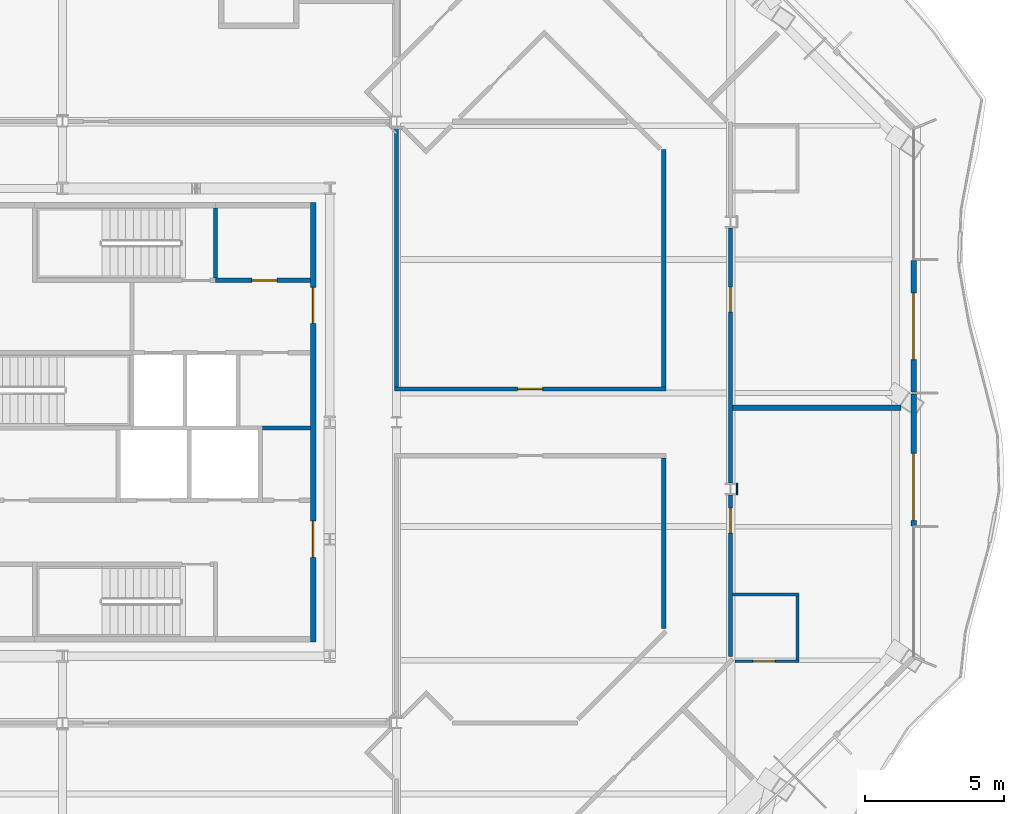
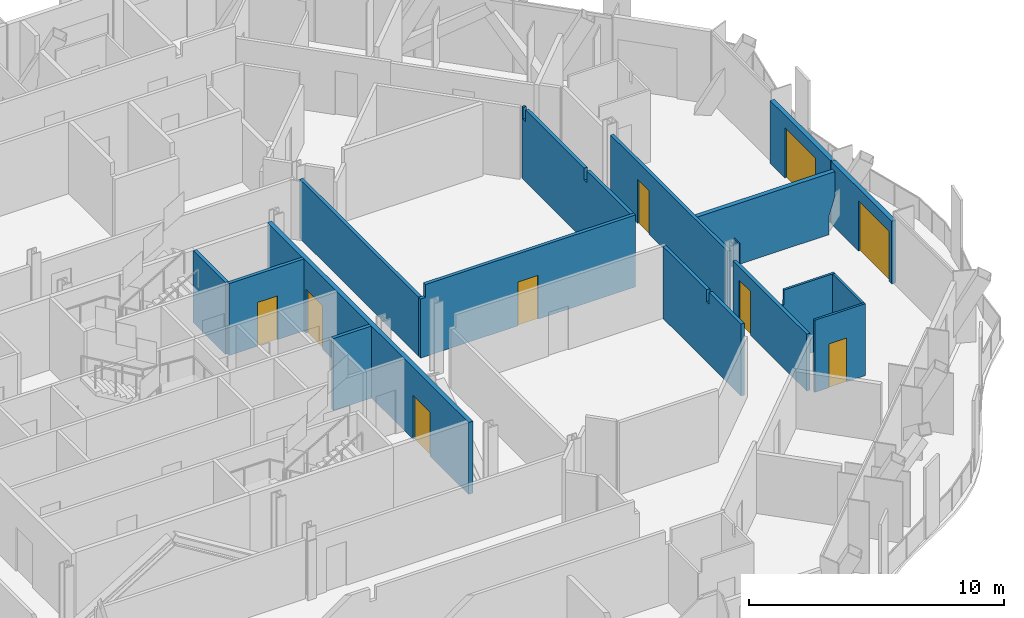
# One storey, part 10 of 21: 17 walls, 9 doors, 9 openings.
"""IFC4 building model written with IfcOpenShell, lengths in metres."""

from ifc_helpers import new_model, si_unit, direction, frame, frame_2d, origin, place, context, subcontext, project, spatial, polyline, rectangle, outline, extrude, material, layer, layer_set, type_object, element, fill, save


model = new_model("IFC4")

# Units and contexts
model_context = context("Model", 3, precision=1e-05, world=origin(), true_north=direction((0.0, 1.0)))
body_context = subcontext(model_context, "Body", "Model", "MODEL_VIEW")
ifc_project = project(units=[si_unit("LENGTHUNIT", "METRE"), si_unit("AREAUNIT", "SQUARE_METRE"), si_unit("VOLUMEUNIT", "CUBIC_METRE"), si_unit("PLANEANGLEUNIT", "RADIAN"), si_unit("MASSUNIT", "GRAM", prefix="KILO")], contexts=[model_context])

# Site, building, storey
site_placement = place(None, origin())
site = spatial("IfcSite", under=ifc_project, at=site_placement, CompositionType="ELEMENT")
building_placement = place(site_placement, origin())
building = spatial("IfcBuilding", under=site, at=building_placement, Name="Cairn Pilgrim Tower", CompositionType="ELEMENT")
storey_placement = place(building_placement, frame((0.0, 0.0, 183.0)))
storey = spatial("IfcBuildingStorey", under=building, at=storey_placement, Name="L46", CompositionType="ELEMENT", Elevation=183.0)

# Wall, opening, door
ifc_material_1 = material(Name="Bronze anodised aluminium insulated sandwich panel with mineral wool fill", Category="aluminium")
ifc_layer_1 = layer(ifc_material_1, 0.199951171875)
ifc_layer_set_1 = layer_set([ifc_layer_1], Name="BRONZE INFILL FRAME WALL 200")
wall_type_1 = type_object("IfcWallType", Name="BRONZE INFILL FRAME WALL 200", PredefinedType="NOTDEFINED", material=ifc_layer_set_1)
wall_1_placement = place(storey_placement, frame((37.77490234375, -1.320068359375, 0.0), z_axis=(0.0, 0.0, 1.0), x_axis=(0.0, 1.0, 0.0)))
wall_1 = element("IfcWall", 1, at=wall_1_placement, inside=storey, type_object=wall_type_1, Name="Bronze infill frame wall IW-E2", PredefinedType="NOTDEFINED", context=body_context, shape_type="SweptSolid", body=[
    extrude(rectangle(XDim=4.739990234375, YDim=0.199951171875, at=frame_2d((2.3701171875, 0.0))), origin(), (0.0, 0.0, 1.0), 3.0),
])
opening_1_placement = place(wall_1_placement, frame((0.199951171875, 0.0, 0.0)))
opening_1 = element("IfcOpeningElement", 2, at=opening_1_placement, cuts=wall_1, Name="Opening 4604B2", PredefinedType="OPENING", context=body_context, shape_type="SweptSolid", body=[
    extrude(rectangle(XDim=2.39990234375, YDim=2.39990234375, at=frame_2d((1.199951171875, 1.199951171875))), frame((0.0, 0.10986328125, 0.0), z_axis=(0.0, -1.0, 0.0), x_axis=(1.0, 0.0, 0.0)), (0.0, 0.0, 1.0), 0.219970703125),
])
ifc_material_2 = material(Name="Bronze anodised aluminium frame with tinted low-E glass", Category="aluminium")
door_type_1 = type_object("IfcDoorType", Name="BALCONY SLIDING DOOR 2400x2400", OperationType="DOUBLE_DOOR_SLIDING", PredefinedType="DOOR", material=ifc_material_2)
door_1_placement = place(opening_1_placement, origin())
door_1 = element("IfcDoor", 3, at=door_1_placement, inside=storey, type_object=door_type_1, Name="Balcony sliding door 4604B2", OperationType="SINGLE_SWING_LEFT", OverallHeight=2.39990234375, OverallWidth=2.39990234375, PredefinedType="DOOR", context=body_context, shape_type="SweptSolid", body=[
    extrude(rectangle(XDim=2.39990234375, YDim=2.39990234375, at=frame_2d((1.199951171875, 1.199951171875))), frame((0.0, 0.02490234375, 0.0), z_axis=(0.0, -1.0, 0.0), x_axis=(1.0, 0.0, 0.0)), (0.0, 0.0, 1.0), 0.050048828125),
])
fill(opening_1, door_1)

wall_2_placement = place(storey_placement, frame((37.77490234375, 3.47998046875, 0.0), z_axis=(0.0, 0.0, 1.0), x_axis=(0.0, 1.0, 0.0)))
wall_2 = element("IfcWall", 4, at=wall_2_placement, inside=storey, type_object=wall_type_1, Name="Bronze infill frame wall IW-E3", PredefinedType="NOTDEFINED", context=body_context, shape_type="SweptSolid", body=[
    extrude(rectangle(XDim=4.739990234375, YDim=0.199951171875, at=frame_2d((2.3701171875, 0.0))), origin(), (0.0, 0.0, 1.0), 3.0),
])
opening_2_placement = place(wall_2_placement, frame((1.169921875, 0.0, 0.0)))
opening_2 = element("IfcOpeningElement", 5, at=opening_2_placement, cuts=wall_2, Name="Opening 4605B", PredefinedType="OPENING", context=body_context, shape_type="SweptSolid", body=[
    extrude(rectangle(XDim=2.39990234375, YDim=2.39990234375, at=frame_2d((1.199951171875, 1.199951171875))), frame((0.0, 0.10986328125, 0.0), z_axis=(0.0, -1.0, 0.0), x_axis=(1.0, 0.0, 0.0)), (0.0, 0.0, 1.0), 0.219970703125),
])
door_2_placement = place(opening_2_placement, origin())
door_2 = element("IfcDoor", 6, at=door_2_placement, inside=storey, type_object=door_type_1, Name="Balcony sliding door 4605B", OperationType="SINGLE_SWING_LEFT", OverallHeight=2.39990234375, OverallWidth=2.39990234375, PredefinedType="DOOR", context=body_context, shape_type="SweptSolid", body=[
    extrude(rectangle(XDim=2.39990234375, YDim=2.39990234375, at=frame_2d((1.199951171875, 1.199951171875))), frame((0.0, 0.02490234375, 0.0), z_axis=(0.0, -1.0, 0.0), x_axis=(1.0, 0.0, 0.0)), (0.0, 0.0, 1.0), 0.050048828125),
])
fill(opening_2, door_2)

# Wall, openings, doors
ifc_material_3 = material(Name="Concrete C32/40", Category="concrete")
ifc_layer_2 = layer(ifc_material_3, 0.199951171875)
ifc_layer_set_2 = layer_set([ifc_layer_2], Name="CORE OUTER WALL 200 EI 120")
wall_type_2 = type_object("IfcWallType", Name="CORE OUTER WALL 200 EI 120", PredefinedType="SOLIDWALL", material=ifc_layer_set_2)
wall_3_placement = place(storey_placement, frame((16.199951171875, -5.5, 0.0), z_axis=(0.0, 0.0, 1.0), x_axis=(0.0, 1.0, 0.0)))
wall_3 = element("IfcWall", 7, at=wall_3_placement, inside=storey, type_object=wall_type_2, Name="CW:L46:V30", PredefinedType="SOLIDWALL", context=body_context, shape_type="SweptSolid", body=[
    extrude(rectangle(XDim=15.800048828125, YDim=0.199951171875, at=frame_2d((7.89990234375, 0.0))), origin(), (0.0, 0.0, 1.0), 3.449951171875),
])
opening_3_placement = place(wall_3_placement, frame((3.050048828125, 0.0, 0.0)))
opening_3 = element("IfcOpeningElement", 8, at=opening_3_placement, cuts=wall_3, Name="Opening CD-E1", PredefinedType="OPENING", context=body_context, shape_type="SweptSolid", body=[
    extrude(rectangle(XDim=1.300048828125, YDim=2.10009765625, at=frame_2d((0.64990234375, 1.050048828125))), frame((0.0, 0.10986328125, 0.0), z_axis=(0.0, -1.0, 0.0), x_axis=(1.0, 0.0, 0.0)), (0.0, 0.0, 1.0), 0.219970703125),
])
opening_4_placement = place(wall_3_placement, frame((11.449951171875, 0.0, 0.0)))
opening_4 = element("IfcOpeningElement", 9, at=opening_4_placement, cuts=wall_3, Name="Opening CD-E2", PredefinedType="OPENING", context=body_context, shape_type="SweptSolid", body=[
    extrude(rectangle(XDim=1.300048828125, YDim=2.10009765625, at=frame_2d((0.64990234375, 1.050048828125))), frame((0.0, 0.10986328125, 0.0), z_axis=(0.0, -1.0, 0.0), x_axis=(1.0, 0.0, 0.0)), (0.0, 0.0, 1.0), 0.219970703125),
])
ifc_material_4 = material(Name="Painted steel", Category="steel")
door_type_2 = type_object("IfcDoorType", Name="CORE LOBBY DOOR 1300x2100", OperationType="DOUBLE_DOOR_SINGLE_SWING", PredefinedType="DOOR", material=ifc_material_4)
door_3_placement = place(opening_3_placement, origin())
door_3 = element("IfcDoor", 10, at=door_3_placement, inside=storey, type_object=door_type_2, Name="CD-E1", OperationType="DOUBLE_DOOR_SINGLE_SWING", OverallHeight=2.10009765625, OverallWidth=1.300048828125, PredefinedType="DOOR", context=body_context, shape_type="SweptSolid", body=[
    extrude(rectangle(XDim=1.300048828125, YDim=2.10009765625, at=frame_2d((0.64990234375, 1.050048828125))), frame((0.0, 0.02490234375, 0.0), z_axis=(0.0, -1.0, 0.0), x_axis=(1.0, 0.0, 0.0)), (0.0, 0.0, 1.0), 0.050048828125),
])
fill(opening_3, door_3)
door_4_placement = place(opening_4_placement, origin())
door_4 = element("IfcDoor", 11, at=door_4_placement, inside=storey, type_object=door_type_2, Name="CD-E2", OperationType="DOUBLE_DOOR_SINGLE_SWING", OverallHeight=2.10009765625, OverallWidth=1.300048828125, PredefinedType="DOOR", context=body_context, shape_type="SweptSolid", body=[
    extrude(rectangle(XDim=1.300048828125, YDim=2.10009765625, at=frame_2d((0.64990234375, 1.050048828125))), frame((0.0, 0.02490234375, 0.0), z_axis=(0.0, -1.0, 0.0), x_axis=(1.0, 0.0, 0.0)), (0.0, 0.0, 1.0), 0.050048828125),
])
fill(opening_4, door_4)

# Wall
ifc_layer_3 = layer(ifc_material_3, 0.14990234375)
ifc_layer_set_3 = layer_set([ifc_layer_3], Name="CORE PARTITION 150 EI 60")
wall_type_3 = type_object("IfcWallType", Name="CORE PARTITION 150 EI 60", PredefinedType="PARTITIONING", material=ifc_layer_set_3)
wall_4_placement = place(storey_placement, frame((14.375, 2.199951171875, 0.0), z_axis=(0.0, 0.0, 1.0), x_axis=(1.0, 0.0, 0.0)))
element("IfcWall", 12, at=wall_4_placement, inside=storey, type_object=wall_type_3, Name="CW:L46:H08", PredefinedType="PARTITIONING", context=body_context, shape_type="SweptSolid", body=[
    extrude(rectangle(XDim=1.72509765625, YDim=0.14990234375, at=frame_2d((0.862548828125, 0.0))), origin(), (0.0, 0.0, 1.0), 3.449951171875),
])

# Wall, opening, door
ifc_layer_4 = layer(ifc_material_3, 0.14990234375)
ifc_layer_set_4 = layer_set([ifc_layer_4], Name="CORE SHAFT WALL 150 EI 120")
wall_type_4 = type_object("IfcWallType", Name="CORE SHAFT WALL 150 EI 120", PredefinedType="SOLIDWALL", material=ifc_layer_set_4)
wall_5_placement = place(storey_placement, frame((12.699951171875, 7.5, 0.0), z_axis=(0.0, 0.0, 1.0), x_axis=(1.0, 0.0, 0.0)))
wall_5 = element("IfcWall", 13, at=wall_5_placement, inside=storey, type_object=wall_type_4, Name="CW:L46:H11-2", PredefinedType="SOLIDWALL", context=body_context, shape_type="SweptSolid", body=[
    extrude(rectangle(XDim=3.400146484375, YDim=0.14990234375, at=frame_2d((1.7001953125, 0.0))), origin(), (0.0, 0.0, 1.0), 3.449951171875),
])
opening_5_placement = place(wall_5_placement, frame((1.300048828125, 0.0, 0.0)))
opening_5 = element("IfcOpeningElement", 14, at=opening_5_placement, cuts=wall_5, Name="Opening RD-R4E", PredefinedType="OPENING", context=body_context, shape_type="SweptSolid", body=[
    extrude(rectangle(XDim=0.89990234375, YDim=2.10009765625, at=frame_2d((0.449951171875, 1.050048828125))), frame((0.0, 0.0849609375, 0.0), z_axis=(0.0, -1.0, 0.0), x_axis=(1.0, 0.0, 0.0)), (0.0, 0.0, 1.0), 0.169921875),
])
door_type_3 = type_object("IfcDoorType", Name="SERVICE ROOM DOOR 900x2100", OperationType="SINGLE_SWING_LEFT", PredefinedType="DOOR", material=ifc_material_4)
door_5_placement = place(opening_5_placement, origin())
door_5 = element("IfcDoor", 15, at=door_5_placement, inside=storey, type_object=door_type_3, Name="RD-R4E", OperationType="SINGLE_SWING_RIGHT", OverallHeight=2.10009765625, OverallWidth=0.89990234375, PredefinedType="DOOR", context=body_context, shape_type="SweptSolid", body=[
    extrude(rectangle(XDim=0.89990234375, YDim=2.10009765625, at=frame_2d((0.449951171875, 1.050048828125))), frame((0.0, 0.02490234375, 0.0), z_axis=(0.0, -1.0, 0.0), x_axis=(1.0, 0.0, 0.0)), (0.0, 0.0, 1.0), 0.050048828125),
])
fill(opening_5, door_5)

ifc_material_5 = material(Name="Gypsum partition")
ifc_layer_5 = layer(ifc_material_5, 0.10009765625)
ifc_layer_set_5 = layer_set([ifc_layer_5], Name="PARTITION 100 DRYWALL")
wall_type_5 = type_object("IfcWallType", Name="PARTITION 100 DRYWALL", PredefinedType="PARTITIONING", material=ifc_layer_set_5)
wall_6_placement = place(storey_placement, frame((31.356201171875, -6.18701171875, 0.0), z_axis=(0.0, 0.0, 1.0), x_axis=(1.0, 0.0, 0.0)))
wall_6 = element("IfcWall", 16, at=wall_6_placement, inside=storey, type_object=wall_type_5, Name="PARTITION W037", PredefinedType="PARTITIONING", context=body_context, shape_type="SweptSolid", body=[
    extrude(rectangle(XDim=2.293701171875, YDim=0.10009765625, at=frame_2d((1.14697265625, 0.0))), origin(), (0.0, 0.0, 1.0), 3.449951171875),
])
opening_6_placement = place(wall_6_placement, frame((0.643798828125, 0.0, 0.0)))
opening_6 = element("IfcOpeningElement", 17, at=opening_6_placement, cuts=wall_6, Name="Opening 4604A", PredefinedType="OPENING", context=body_context, shape_type="SweptSolid", body=[
    extrude(rectangle(XDim=0.800048828125, YDim=2.10009765625, at=frame_2d((0.39990234375, 1.050048828125))), frame((0.0, 0.06005859375, 0.0), z_axis=(0.0, -1.0, 0.0), x_axis=(1.0, 0.0, 0.0)), (0.0, 0.0, 1.0), 0.1201171875),
])
ifc_material_6 = material(Name="Timber door leaf", Category="wood")
door_type_4 = type_object("IfcDoorType", Name="WC DOOR 800x2100", OperationType="NOTDEFINED", PredefinedType="DOOR", material=ifc_material_6)
door_6_placement = place(opening_6_placement, frame((0.800048828125, 0.0, 0.0), z_axis=(0.0, 0.0, 1.0), x_axis=(-1.0, 0.0, 0.0)))
door_6 = element("IfcDoor", 18, at=door_6_placement, inside=storey, type_object=door_type_4, Name="DOOR 4604A", OperationType="SINGLE_SWING_RIGHT", OverallHeight=2.10009765625, OverallWidth=0.800048828125, PredefinedType="DOOR", context=body_context, shape_type="SweptSolid", body=[
    extrude(rectangle(XDim=0.800048828125, YDim=2.10009765625, at=frame_2d((0.39990234375, 1.050048828125))), frame((0.0, 0.02490234375, 0.0), z_axis=(0.0, -1.0, 0.0), x_axis=(1.0, 0.0, 0.0)), (0.0, 0.0, 1.0), 0.050048828125),
])
fill(opening_6, door_6)

# Walls
wall_7_placement = place(storey_placement, frame((33.60009765625, -6.136962890625, 0.0), z_axis=(0.0, 0.0, 1.0), x_axis=(0.0, 1.0, 0.0)))
element("IfcWall", 19, at=wall_7_placement, inside=storey, type_object=wall_type_5, Name="PARTITION W038", PredefinedType="PARTITIONING", context=body_context, shape_type="SweptSolid", body=[
    extrude(rectangle(XDim=2.300048828125, YDim=0.10009765625, at=frame_2d((1.14990234375, 0.0))), origin(), (0.0, 0.0, 1.0), 3.449951171875),
])
wall_8_placement = place(storey_placement, frame((31.27490234375, -3.787109375, 0.0), z_axis=(0.0, 0.0, 1.0), x_axis=(1.0, 0.0, 0.0)))
element("IfcWall", 20, at=wall_8_placement, inside=storey, type_object=wall_type_5, Name="PARTITION W041", PredefinedType="PARTITIONING", context=body_context, shape_type="SweptSolid", body=[
    extrude(outline(polyline([(0.0, 0.0), (2.375, 0.0), (2.375, 3.449951171875), (0.074951171875, 3.449951171875), (0.072998046875, 2.72998046875), (0.0, 2.72998046875), (0.0, 0.0)])), frame((0.0, 0.050048828125, 0.0), z_axis=(0.0, -1.0, 0.0), x_axis=(1.0, 0.0, 0.0)), (0.0, 0.0, 1.0), 0.10009765625),
])

# Wall, opening, door
ifc_layer_6 = layer(ifc_material_5, 0.14990234375)
ifc_layer_set_6 = layer_set([ifc_layer_6], Name="PARTITION 150 DRYWALL EI 60")
wall_type_6 = type_object("IfcWallType", Name="PARTITION 150 DRYWALL EI 60", PredefinedType="PARTITIONING", material=ifc_layer_set_6)
wall_9_placement = place(storey_placement, frame((31.199951171875, -6.006103515625, 0.0), z_axis=(0.0, 0.0, 1.0), x_axis=(0.0, 1.0, 0.0)))
wall_9 = element("IfcWall", 21, at=wall_9_placement, inside=storey, type_object=wall_type_6, Name="PARTITION W039", PredefinedType="PARTITIONING", context=body_context, shape_type="SweptSolid", body=[
    extrude(rectangle(XDim=5.793701171875, YDim=0.14990234375, at=frame_2d((2.89697265625, 0.0))), origin(), (0.0, 0.0, 1.0), 2.72998046875),
])
opening_7_placement = place(wall_9_placement, frame((4.425048828125, 0.0, 0.0)))
opening_7 = element("IfcOpeningElement", 22, at=opening_7_placement, cuts=wall_9, Name="Opening 4604", PredefinedType="OPENING", context=body_context, shape_type="SweptSolid", body=[
    extrude(rectangle(XDim=0.89990234375, YDim=2.10009765625, at=frame_2d((0.449951171875, 1.050048828125))), frame((0.0, 0.0849609375, 0.0), z_axis=(0.0, -1.0, 0.0), x_axis=(1.0, 0.0, 0.0)), (0.0, 0.0, 1.0), 0.169921875),
])
door_type_5 = type_object("IfcDoorType", Name="ROOM DOOR 900x2100 FD30S", OperationType="NOTDEFINED", PredefinedType="DOOR", material=ifc_material_6)
door_7_placement = place(opening_7_placement, frame((0.89990234375, 0.0, 0.0), z_axis=(0.0, 0.0, 1.0), x_axis=(-1.0, 0.0, 0.0)))
door_7 = element("IfcDoor", 23, at=door_7_placement, inside=storey, type_object=door_type_5, Name="DOOR 4604", OperationType="SINGLE_SWING_RIGHT", OverallHeight=2.10009765625, OverallWidth=0.89990234375, PredefinedType="DOOR", context=body_context, shape_type="SweptSolid", body=[
    extrude(rectangle(XDim=0.89990234375, YDim=2.10009765625, at=frame_2d((0.449951171875, 1.050048828125))), frame((0.0, 0.02490234375, 0.0), z_axis=(0.0, -1.0, 0.0), x_axis=(1.0, 0.0, 0.0)), (0.0, 0.0, 1.0), 0.050048828125),
])
fill(opening_7, door_7)

# Wall
wall_10_placement = place(storey_placement, frame((28.800048828125, -5.011962890625, 0.0), z_axis=(0.0, 0.0, 1.0), x_axis=(0.0, 1.0, 0.0)))
element("IfcWall", 24, at=wall_10_placement, inside=storey, type_object=wall_type_6, Name="PARTITION W040", PredefinedType="PARTITIONING", context=body_context, shape_type="SweptSolid", body=[
    extrude(outline(polyline([(0.0, 0.0), (6.136962890625, 0.0), (6.136962890625, 3.449951171875), (2.716796875, 3.449951171875), (2.71484375, 2.8798828125), (2.5068359375, 2.8798828125), (2.5048828125, 3.449951171875), (0.0, 3.449951171875), (0.0, 0.0)])), frame((0.0, 0.074951171875, 0.0), z_axis=(0.0, -1.0, 0.0), x_axis=(1.0, 0.0, 0.0)), (0.0, 0.0, 1.0), 0.14990234375),
])

# Wall, opening, door
wall_11_placement = place(storey_placement, frame((31.199951171875, 0.21240234375, 0.0), z_axis=(0.0, 0.0, 1.0), x_axis=(0.0, 1.0, 0.0)))
wall_11 = element("IfcWall", 25, at=wall_11_placement, inside=storey, type_object=wall_type_6, Name="PARTITION W045", PredefinedType="PARTITIONING", context=body_context, shape_type="SweptSolid", body=[
    extrude(rectangle(XDim=9.175048828125, YDim=0.14990234375, at=frame_2d((4.58740234375, 0.0))), origin(), (0.0, 0.0, 1.0), 2.929931640625),
])
opening_8_placement = place(wall_11_placement, frame((6.1435546875, 0.0, 0.0)))
opening_8 = element("IfcOpeningElement", 26, at=opening_8_placement, cuts=wall_11, Name="Opening 4605", PredefinedType="OPENING", context=body_context, shape_type="SweptSolid", body=[
    extrude(rectangle(XDim=0.89990234375, YDim=2.10009765625, at=frame_2d((0.449951171875, 1.050048828125))), frame((0.0, 0.0849609375, 0.0), z_axis=(0.0, -1.0, 0.0), x_axis=(1.0, 0.0, 0.0)), (0.0, 0.0, 1.0), 0.169921875),
])
door_8_placement = place(opening_8_placement, frame((0.89990234375, 0.0, 0.0), z_axis=(0.0, 0.0, 1.0), x_axis=(-1.0, 0.0, 0.0)))
door_8 = element("IfcDoor", 27, at=door_8_placement, inside=storey, type_object=door_type_5, Name="DOOR 4605", OperationType="SINGLE_SWING_RIGHT", OverallHeight=2.10009765625, OverallWidth=0.89990234375, PredefinedType="DOOR", context=body_context, shape_type="SweptSolid", body=[
    extrude(rectangle(XDim=0.89990234375, YDim=2.10009765625, at=frame_2d((0.449951171875, 1.050048828125))), frame((0.0, 0.02490234375, 0.0), z_axis=(0.0, -1.0, 0.0), x_axis=(1.0, 0.0, 0.0)), (0.0, 0.0, 1.0), 0.050048828125),
])
fill(opening_8, door_8)

wall_12_placement = place(storey_placement, frame((19.125, 3.60009765625, 0.0), z_axis=(0.0, 0.0, 1.0), x_axis=(1.0, 0.0, 0.0)))
wall_12 = element("IfcWall", 28, at=wall_12_placement, inside=storey, type_object=wall_type_6, Name="PARTITION W052", PredefinedType="PARTITIONING", context=body_context, shape_type="SweptSolid", body=[
    extrude(outline(polyline([(0.0, 0.0), (9.75, 0.0), (9.75, 3.449951171875), (0.22509765625, 3.449951171875), (0.222900390625, 2.830078125), (0.0, 2.830078125), (0.0, 0.0)])), frame((0.0, 0.074951171875, 0.0), z_axis=(0.0, -1.0, 0.0), x_axis=(1.0, 0.0, 0.0)), (0.0, 0.0, 1.0), 0.14990234375),
])
opening_9_placement = place(wall_12_placement, frame((4.425048828125, 0.0, 0.0)))
opening_9 = element("IfcOpeningElement", 29, at=opening_9_placement, cuts=wall_12, Name="Opening 4621", PredefinedType="OPENING", context=body_context, shape_type="SweptSolid", body=[
    extrude(rectangle(XDim=0.89990234375, YDim=2.10009765625, at=frame_2d((0.449951171875, 1.050048828125))), frame((0.0, 0.0849609375, 0.0), z_axis=(0.0, -1.0, 0.0), x_axis=(1.0, 0.0, 0.0)), (0.0, 0.0, 1.0), 0.169921875),
])
door_type_6 = type_object("IfcDoorType", Name="SERVICE DOOR 900x2100 FD30S", OperationType="NOTDEFINED", PredefinedType="DOOR", material=ifc_material_6)
door_9_placement = place(opening_9_placement, origin())
door_9 = element("IfcDoor", 30, at=door_9_placement, inside=storey, type_object=door_type_6, Name="DOOR 4621", OperationType="SINGLE_SWING_RIGHT", OverallHeight=2.10009765625, OverallWidth=0.89990234375, PredefinedType="DOOR", context=body_context, shape_type="SweptSolid", body=[
    extrude(rectangle(XDim=0.89990234375, YDim=2.10009765625, at=frame_2d((0.449951171875, 1.050048828125))), frame((0.0, 0.02490234375, 0.0), z_axis=(0.0, -1.0, 0.0), x_axis=(1.0, 0.0, 0.0)), (0.0, 0.0, 1.0), 0.050048828125),
])
fill(opening_9, door_9)

# Walls
wall_13_placement = place(storey_placement, frame((19.199951171875, 3.675048828125, 0.0), z_axis=(0.0, 0.0, 1.0), x_axis=(0.0, 1.0, 0.0)))
element("IfcWall", 31, at=wall_13_placement, inside=storey, type_object=wall_type_6, Name="PARTITION W055", PredefinedType="PARTITIONING", context=body_context, shape_type="SweptSolid", body=[
    extrude(rectangle(XDim=9.328369140625, YDim=0.14990234375, at=frame_2d((4.6640625, 0.0))), origin(), (0.0, 0.0, 1.0), 2.830078125),
])
wall_14_placement = place(storey_placement, frame((28.800048828125, 3.675048828125, 0.0), z_axis=(0.0, 0.0, 1.0), x_axis=(0.0, 1.0, 0.0)))
element("IfcWall", 32, at=wall_14_placement, inside=storey, type_object=wall_type_6, Name="PARTITION W056", PredefinedType="PARTITIONING", context=body_context, shape_type="SweptSolid", body=[
    extrude(outline(polyline([(0.0, 0.0), (8.524169921875, 0.0), (8.524169921875, 3.449951171875), (8.429931640625, 3.449951171875), (8.427978515625, 2.8798828125), (8.219970703125, 2.8798828125), (8.218017578125, 3.449951171875), (3.6298828125, 3.449951171875), (3.6279296875, 2.8798828125), (3.419921875, 2.8798828125), (3.41796875, 3.449951171875), (0.0, 3.449951171875), (0.0, 0.0)])), frame((0.0, 0.074951171875, 0.0), z_axis=(0.0, -1.0, 0.0), x_axis=(1.0, 0.0, 0.0)), (0.0, 0.0, 1.0), 0.14990234375),
])
ifc_layer_7 = layer(ifc_material_5, 0.050048828125)
ifc_layer_set_7 = layer_set([ifc_layer_7], Name="PARTITION 50 DRYWALL EI 60")
wall_type_7 = type_object("IfcWallType", Name="PARTITION 50 DRYWALL EI 60", PredefinedType="PARTITIONING", material=ifc_layer_set_7)
wall_15_placement = place(storey_placement, frame((31.429443359375, -0.21240234375, 0.0), z_axis=(0.0, 0.0, 1.0), x_axis=(0.0, 1.0, 0.0)))
element("IfcWall", 33, at=wall_15_placement, inside=storey, type_object=wall_type_7, Name="COLUMN CASING WC14", PredefinedType="PARTITIONING", context=body_context, shape_type="SweptSolid", body=[
    extrude(rectangle(XDim=0.4248046875, YDim=0.050048828125, at=frame_2d((0.21240234375, 0.0))), origin(), (0.0, 0.0, 1.0), 3.449951171875),
])
ifc_layer_8 = layer(ifc_material_5, 0.199951171875)
ifc_layer_set_8 = layer_set([ifc_layer_8], Name="SHAFT WALL 200 GYPSUM EI 60")
wall_type_8 = type_object("IfcWallType", Name="SHAFT WALL 200 GYPSUM EI 60", PredefinedType="PARTITIONING", material=ifc_layer_set_8)
wall_16_placement = place(storey_placement, frame((31.27490234375, 2.925048828125, 0.0), z_axis=(0.0, 0.0, 1.0), x_axis=(1.0, 0.0, 0.0)))
element("IfcWall", 34, at=wall_16_placement, inside=storey, type_object=wall_type_8, Name="PARTITION W050", PredefinedType="PARTITIONING", context=body_context, shape_type="SweptSolid", body=[
    extrude(outline(polyline([(0.0, 0.0), (5.94677734375, 0.0), (5.94677734375, 0.862548828125), (6.221923828125, 1.72509765625), (6.221923828125, 2.58740234375), (6.221923828125, 2.929931640625), (0.0, 2.929931640625), (0.0, 2.58740234375), (0.0, 1.72509765625), (0.0, 0.862548828125), (0.0, 0.0)])), frame((0.0, 0.10009765625, 0.0), z_axis=(0.0, -1.0, 0.0), x_axis=(1.0, 0.0, 0.0)), (0.0, 0.0, 1.0), 0.199951171875),
])
ifc_material_7 = material(Name="Concrete C35/45", Category="concrete")
ifc_layer_9 = layer(ifc_material_7, 0.14990234375)
ifc_layer_set_9 = layer_set([ifc_layer_9], Name="STAIR SHAFT WALL 150 EI 120")
wall_type_9 = type_object("IfcWallType", Name="STAIR SHAFT WALL 150 EI 120", PredefinedType="SOLIDWALL", material=ifc_layer_set_9)
wall_17_placement = place(storey_placement, frame((12.699951171875, 7.574951171875, 0.0), z_axis=(0.0, 0.0, 1.0), x_axis=(0.0, 1.0, 0.0)))
element("IfcWall", 35, at=wall_17_placement, inside=storey, type_object=wall_type_9, Name="CW:L46:V27", PredefinedType="SOLIDWALL", context=body_context, shape_type="SweptSolid", body=[
    extrude(rectangle(XDim=2.525146484375, YDim=0.14990234375, at=frame_2d((1.2626953125, 0.0))), origin(), (0.0, 0.0, 1.0), 3.449951171875),
])

save(model, "model.ifc")
